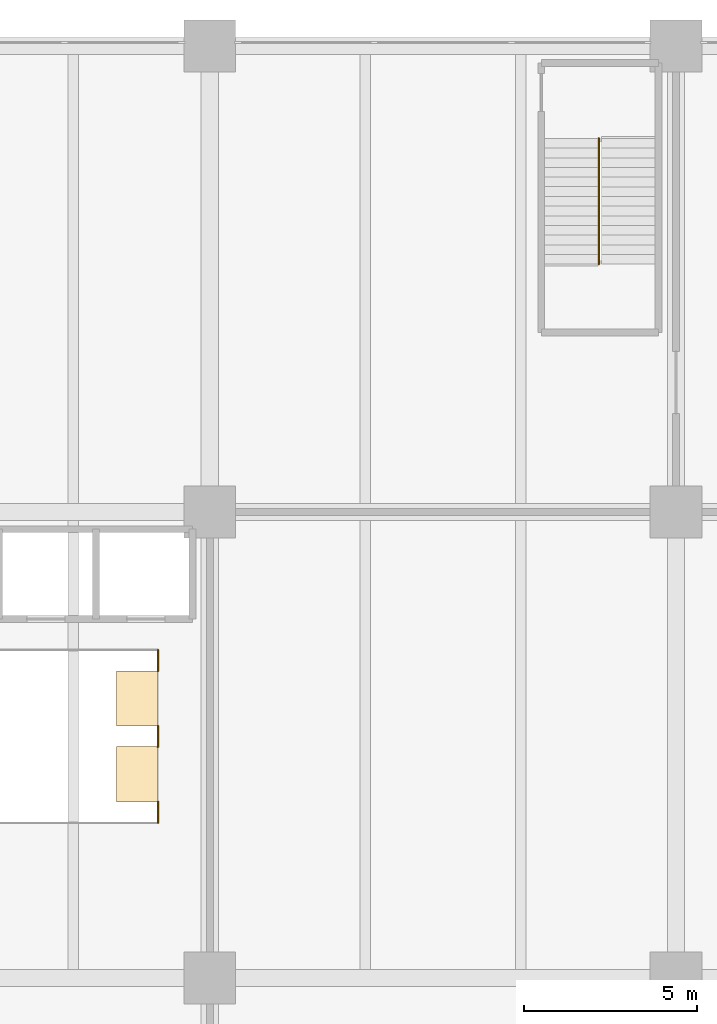
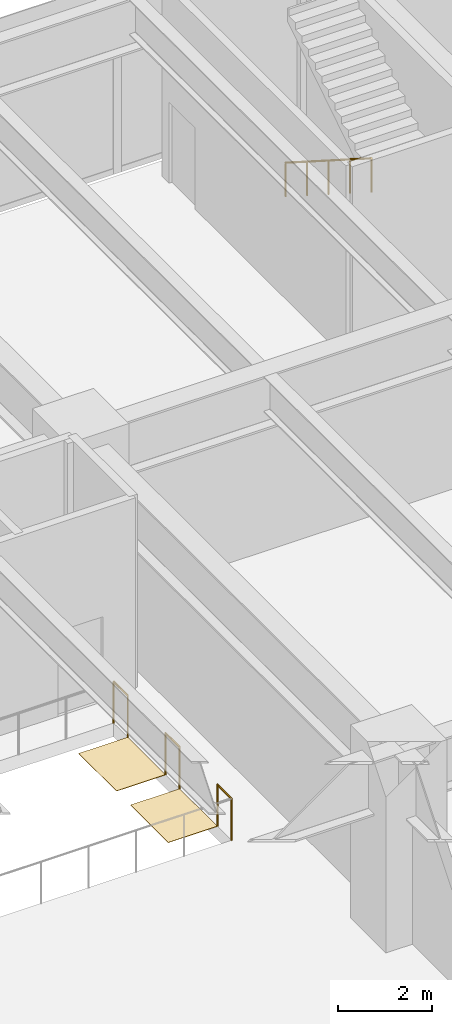
# One storey, part 31 of 31: 4 railings, 2 coverings.
"""IFC4 building model written with IfcOpenShell, lengths in metres."""

from ifc_helpers import new_model, si_unit, direction, frame, origin, origin_2d, place, context, subcontext, project, spatial, rectangle, circle, extrude, material, layer, layer_set, type_object, element, save


model = new_model("IFC4")

# Units and contexts
model_context = context("Model", 3, precision=1e-05, world=origin(), true_north=direction((0.0, 1.0)))
body_context = subcontext(model_context, "Body", "Model", "MODEL_VIEW")
ifc_project = project(units=[si_unit("LENGTHUNIT", "METRE"), si_unit("AREAUNIT", "SQUARE_METRE"), si_unit("VOLUMEUNIT", "CUBIC_METRE"), si_unit("PLANEANGLEUNIT", "RADIAN"), si_unit("MASSUNIT", "GRAM", prefix="KILO")], contexts=[model_context])

# Site, building, storey
site_placement = place(None, origin())
site = spatial("IfcSite", under=ifc_project, at=site_placement, CompositionType="ELEMENT")
building_placement = place(site_placement, origin())
building = spatial("IfcBuilding", under=site, at=building_placement, Name="Upepo Twin Towers", CompositionType="ELEMENT")
storey_placement = place(building_placement, frame((0.0, 0.0, 15.5)))
storey = spatial("IfcBuildingStorey", under=building, at=storey_placement, Name="L03", CompositionType="ELEMENT", Elevation=15.5)

# Coverings
ifc_material_1 = material(Name="Stainless steel chequer plate", Category="steel")
ifc_layer = layer(ifc_material_1, 0.011962890625)
ifc_layer_set = layer_set([ifc_layer], Name="Escalator floor plate, stainless steel chequer 12")
covering_type = type_object("IfcCoveringType", Name="Escalator floor plate, stainless steel chequer 12", PredefinedType="FLOORING", material=ifc_layer_set)
for number, where, z_axis, x_axis, name in (
    (1, (38.39990234375, 19.39990234375, -0.01220703125), (0.0, 0.0, 1.0), (1.0, 0.0, 0.0), "Escalator upper floor plate"),
    (2, (38.39990234375, 21.60009765625, -0.01220703125), (0.0, 0.0, 1.0), (1.0, 0.0, 0.0), "Escalator upper floor plate"),
):
    element("IfcCovering", number, at=place(storey_placement, frame(where, z_axis=z_axis, x_axis=x_axis)), inside=storey, type_object=covering_type, Name=name, PredefinedType="FLOORING", context=body_context, shape_type="SweptSolid", body=[
        extrude(rectangle(XDim=1.199951171875, YDim=1.60009765625, at=origin_2d()), origin(), (0.0, 0.0, 1.0), 0.011962890625),
    ])

# Railings
ifc_material_2 = material(Name="Stainless steel and glass", Category="steel")
railing_type_1 = type_object("IfcRailingType", Name="Guard 1100", PredefinedType="GUARDRAIL", material=ifc_material_2)
for number, where, name in (
    (3, (39.0, 18.0, 0.0), "Escalator well guard L03 arrival edge 1"),
    (4, (39.0, 20.199951171875, 0.0), "Escalator well guard L03 arrival edge 2"),
    (5, (39.0, 22.39990234375, 0.0), "Escalator well guard L03 arrival edge 3"),
):
    element("IfcRailing", number, at=place(storey_placement, frame(where)), inside=storey, type_object=railing_type_1, Name=name, PredefinedType="GUARDRAIL", context=body_context, shape_type="SweptSolid", body=[
        extrude(circle(Radius=0.02392578125, at=origin_2d()), frame((0.0, 0.0, 1.076171875), z_axis=(0.0, 1.0, 0.0), x_axis=(-1.0, 0.0, 0.0)), (0.0, 0.0, 1.0), 0.60009765625),
        extrude(circle(Radius=0.02099609375, at=origin_2d()), origin(), (0.0, 0.0, 1.0), 1.052001953125),
        extrude(circle(Radius=0.02099609375, at=origin_2d()), frame((0.0, 0.60009765625, 0.0)), (0.0, 0.0, 1.0), 1.052001953125),
    ])
ifc_material_3 = material(Name="Stainless steel", Category="steel")
railing_type_2 = type_object("IfcRailingType", Name="Stair handrail 900", PredefinedType="HANDRAIL", material=ifc_material_3)
railing_placement = place(storey_placement, frame((51.77001953125, 37.820068359375, 0.178466796875)))
element("IfcRailing", 6, at=railing_placement, inside=storey, type_object=railing_type_2, Name="Podium stair PS4 L03 handrail", PredefinedType="HANDRAIL", context=body_context, shape_type="SweptSolid", body=[
    extrude(circle(Radius=0.02392578125, at=origin_2d()), frame((0.0, 0.0, 0.8759765625), z_axis=(0.0, -0.843127859045, 0.537713132908), x_axis=(1.0, 0.0, 0.0)), (0.0, 0.0, 1.0), 4.3173828125),
    extrude(circle(Radius=0.02099609375, at=origin_2d()), origin(), (0.0, 0.0, 1.0), 0.851806640625),
    extrude(circle(Radius=0.02099609375, at=origin_2d()), frame((0.0, -0.91015625, 0.580322265625)), (0.0, 0.0, 1.0), 0.851806640625),
    extrude(circle(Radius=0.02099609375, at=origin_2d()), frame((0.0, -1.820068359375, 1.16064453125)), (0.0, 0.0, 1.0), 0.851806640625),
    extrude(circle(Radius=0.02099609375, at=origin_2d()), frame((0.0, -2.72998046875, 1.7412109375)), (0.0, 0.0, 1.0), 0.851806640625),
    extrude(circle(Radius=0.02099609375, at=origin_2d()), frame((0.0, -3.64013671875, 2.321533203125)), (0.0, 0.0, 1.0), 0.851806640625),
])

save(model, "model.ifc")
